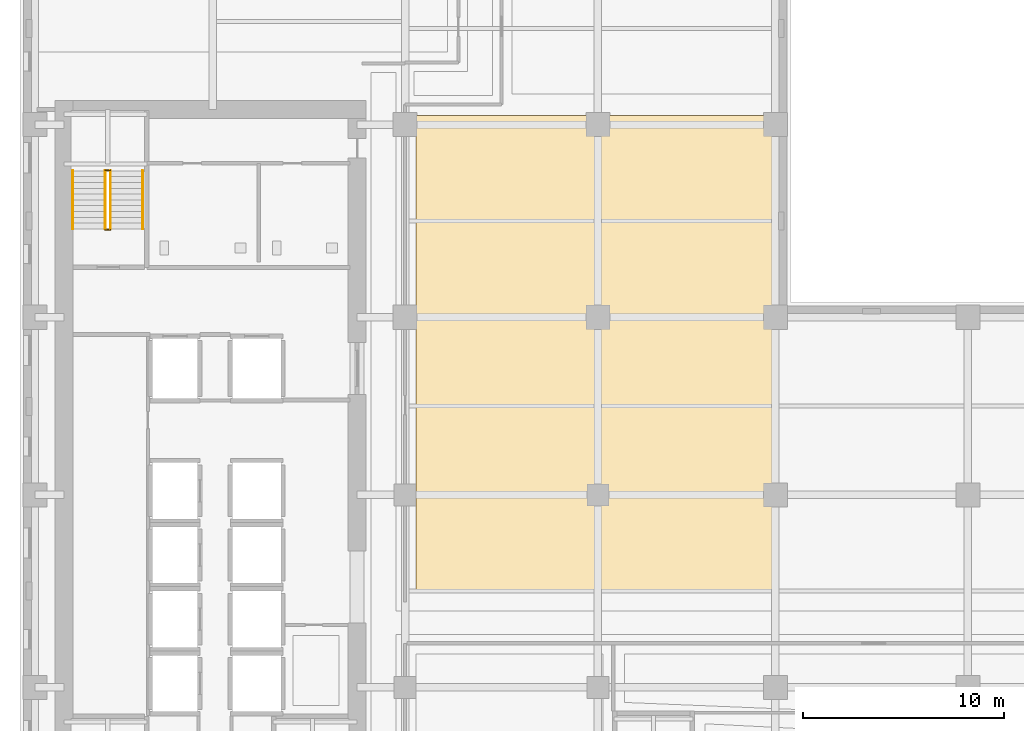
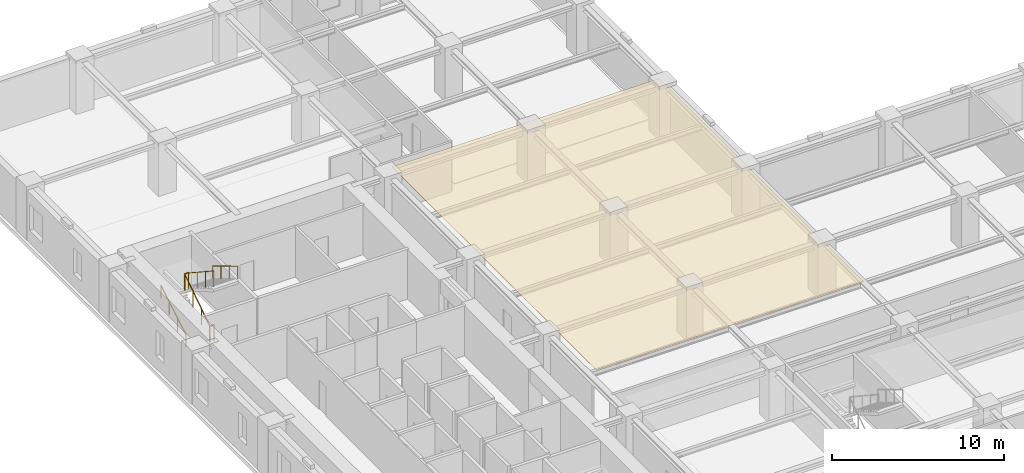
# One storey, part 11 of 13: 6 railings, 1 covering.
"""IFC4 building model written with IfcOpenShell, lengths in metres."""

from ifc_helpers import new_model, si_unit, direction, frame, origin, origin_2d, place, context, subcontext, project, spatial, polyline, circle, outline, extrude, material, layer, layer_set, type_object, element, save


model = new_model("IFC4")

# Units and contexts
model_context = context("Model", 3, precision=1e-05, world=origin(), true_north=direction((0.0, 1.0)))
body_context = subcontext(model_context, "Body", "Model", "MODEL_VIEW")
ifc_project = project(units=[si_unit("LENGTHUNIT", "METRE"), si_unit("AREAUNIT", "SQUARE_METRE"), si_unit("VOLUMEUNIT", "CUBIC_METRE"), si_unit("PLANEANGLEUNIT", "RADIAN"), si_unit("MASSUNIT", "GRAM", prefix="KILO")], contexts=[model_context])

# Site, building, storey
site_placement = place(None, origin())
site = spatial("IfcSite", under=ifc_project, at=site_placement, CompositionType="ELEMENT")
building_placement = place(site_placement, origin())
building = spatial("IfcBuilding", under=site, at=building_placement, Name="Norrvale University Quadrangle", CompositionType="ELEMENT")
storey_placement = place(building_placement, frame((0.0, 0.0, 43.199951171875)))
storey = spatial("IfcBuildingStorey", under=building, at=storey_placement, Name="L10", CompositionType="ELEMENT", Elevation=43.199951171875)

# Covering
ifc_material_1 = material(Name="Perforated Acoustic Mineral Ceiling")
ifc_layer = layer(ifc_material_1, 0.02490234375, Name="Perforated Acoustic Mineral Ceiling")
ifc_layer_set = layer_set([ifc_layer], Name="Perforated Acoustic Mineral Ceiling")
covering_type = type_object("IfcCoveringType", Name="Covering Acoustic Ceiling 25", PredefinedType="CEILING", material=ifc_layer_set)
covering_placement = place(storey_placement, frame((0.0, 0.0, 3.51513671875)))
element("IfcCovering", 1, at=covering_placement, inside=storey, type_object=covering_type, Name="Acoustic Ceiling RM-L10-MNE01", PredefinedType="CEILING", context=body_context, shape_type="SweptSolid", body=[
    extrude(outline(polyline([(19.72998046875, 47.719970703125), (37.64990234375, 47.719970703125), (37.64990234375, 23.97998046875), (19.72998046875, 23.97998046875), (19.72998046875, 47.719970703125)])), origin(), (0.0, 0.0, 1.0), 0.02490234375),
])

# Railings
ifc_material_2 = material(Name="Steel 350W Painted Balustrade", Category="steel")
railing_type_1 = type_object("IfcRailingType", Name="Railing Stair Guard 1100", PredefinedType="GUARDRAIL", material=ifc_material_2)
for number, where, name in (
    (2, (4.239990234375, 42.02001953125, 0.0), "Stair Floor Well Guard ST-02 L10"),
    (3, (4.239990234375, 44.97998046875, 1.900146484375), "Stair Mid-Landing Slot Guard ST-02 L10"),
):
    element("IfcRailing", number, at=place(storey_placement, frame(where)), inside=storey, type_object=railing_type_1, Name=name, PredefinedType="GUARDRAIL", context=body_context, shape_type="SweptSolid", body=[
        extrude(circle(Radius=0.02392578125, at=origin_2d()), frame((0.0, 0.0, 1.1259765625), z_axis=(1.0, 0.0, 0.0), x_axis=(0.0, 1.0, 0.0)), (0.0, 0.0, 1.0), 0.27001953125),
        extrude(circle(Radius=0.02099609375, at=origin_2d()), origin(), (0.0, 0.0, 1.0), 1.101806640625),
        extrude(circle(Radius=0.02099609375, at=origin_2d()), frame((0.27001953125, 0.0, 0.0)), (0.0, 0.0, 1.0), 1.101806640625),
    ])
railing_1_placement = place(storey_placement, frame((4.239990234375, 42.050048828125, 0.0)))
element("IfcRailing", 4, at=railing_1_placement, inside=storey, type_object=railing_type_1, Name="Stair Lower Flight Inner Guard ST-02 L10", PredefinedType="GUARDRAIL", context=body_context, shape_type="SweptSolid", body=[
    extrude(circle(Radius=0.02392578125, at=origin_2d()), frame((0.0, 0.0, 1.1259765625), z_axis=(0.0, 0.836433300813, 0.548068730445), x_axis=(-1.0, 0.0, 0.0)), (0.0, 0.0, 1.0), 3.467041015625),
    extrude(circle(Radius=0.02099609375, at=origin_2d()), origin(), (0.0, 0.0, 1.0), 1.101806640625),
    extrude(circle(Radius=0.02099609375, at=origin_2d()), frame((0.0, 0.966552734375, 0.63330078125)), (0.0, 0.0, 1.0), 1.101806640625),
    extrude(circle(Radius=0.02099609375, at=origin_2d()), frame((0.0, 1.933349609375, 1.266845703125)), (0.0, 0.0, 1.0), 1.101806640625),
    extrude(circle(Radius=0.02099609375, at=origin_2d()), frame((0.0, 2.89990234375, 1.900146484375)), (0.0, 0.0, 1.0), 1.101806640625),
])
railing_2_placement = place(storey_placement, frame((4.510009765625, 44.949951171875, 1.900146484375)))
element("IfcRailing", 5, at=railing_2_placement, inside=storey, type_object=railing_type_1, Name="Stair Upper Flight Inner Guard ST-02 L10", PredefinedType="GUARDRAIL", context=body_context, shape_type="SweptSolid", body=[
    extrude(circle(Radius=0.02392578125, at=origin_2d()), frame((0.0, 0.0, 1.1259765625), z_axis=(0.0, -0.836465582154, 0.548019461216), x_axis=(1.0, 0.0, 0.0)), (0.0, 0.0, 1.0), 3.466796875),
    extrude(circle(Radius=0.02099609375, at=origin_2d()), origin(), (0.0, 0.0, 1.0), 1.101806640625),
    extrude(circle(Radius=0.02099609375, at=origin_2d()), frame((0.0, -0.966552734375, 0.63330078125)), (0.0, 0.0, 1.0), 1.101806640625),
    extrude(circle(Radius=0.02099609375, at=origin_2d()), frame((0.0, -1.933349609375, 1.2666015625)), (0.0, 0.0, 1.0), 1.101806640625),
    extrude(circle(Radius=0.02099609375, at=origin_2d()), frame((0.0, -2.89990234375, 1.89990234375)), (0.0, 0.0, 1.0), 1.101806640625),
])
ifc_material_3 = material(Name="Stainless Steel 316L Handrail", Category="steel")
railing_type_2 = type_object("IfcRailingType", Name="Railing Stair Handrail 920", PredefinedType="HANDRAIL", material=ifc_material_3)
railing_3_placement = place(storey_placement, frame((2.639892578125, 42.050048828125, 0.1728515625)))
element("IfcRailing", 6, at=railing_3_placement, inside=storey, type_object=railing_type_2, Name="Stair Lower Flight Handrail ST-02 L10", PredefinedType="HANDRAIL", context=body_context, shape_type="SweptSolid", body=[
    extrude(circle(Radius=0.02392578125, at=origin_2d()), frame((0.0, 0.0, 0.89599609375), z_axis=(0.0, 0.859141464434, 0.511738159696), x_axis=(-1.0, 0.0, 0.0)), (0.0, 0.0, 1.0), 3.375244140625),
    extrude(circle(Radius=0.02099609375, at=origin_2d()), origin(), (0.0, 0.0, 1.0), 0.871826171875),
    extrude(circle(Radius=0.02099609375, at=origin_2d()), frame((0.0, 0.966552734375, 0.57568359375)), (0.0, 0.0, 1.0), 0.871826171875),
    extrude(circle(Radius=0.02099609375, at=origin_2d()), frame((0.0, 1.933349609375, 1.151611328125)), (0.0, 0.0, 1.0), 0.871826171875),
    extrude(circle(Radius=0.02099609375, at=origin_2d()), frame((0.0, 2.89990234375, 1.727294921875)), (0.0, 0.0, 1.0), 0.871826171875),
])
railing_4_placement = place(storey_placement, frame((6.110107421875, 44.949951171875, 2.07275390625)))
element("IfcRailing", 7, at=railing_4_placement, inside=storey, type_object=railing_type_2, Name="Stair Upper Flight Handrail ST-02 L10", PredefinedType="HANDRAIL", context=body_context, shape_type="SweptSolid", body=[
    extrude(circle(Radius=0.02392578125, at=origin_2d()), frame((0.0, 0.0, 0.89599609375), z_axis=(0.0, -0.859141464434, 0.511738159696), x_axis=(1.0, 0.0, 0.0)), (0.0, 0.0, 1.0), 3.375244140625),
    extrude(circle(Radius=0.02099609375, at=origin_2d()), origin(), (0.0, 0.0, 1.0), 0.871826171875),
    extrude(circle(Radius=0.02099609375, at=origin_2d()), frame((0.0, -0.966552734375, 0.57568359375)), (0.0, 0.0, 1.0), 0.871826171875),
    extrude(circle(Radius=0.02099609375, at=origin_2d()), frame((0.0, -1.933349609375, 1.151611328125)), (0.0, 0.0, 1.0), 0.871826171875),
    extrude(circle(Radius=0.02099609375, at=origin_2d()), frame((0.0, -2.89990234375, 1.727294921875)), (0.0, 0.0, 1.0), 0.871826171875),
])

save(model, "model.ifc")
